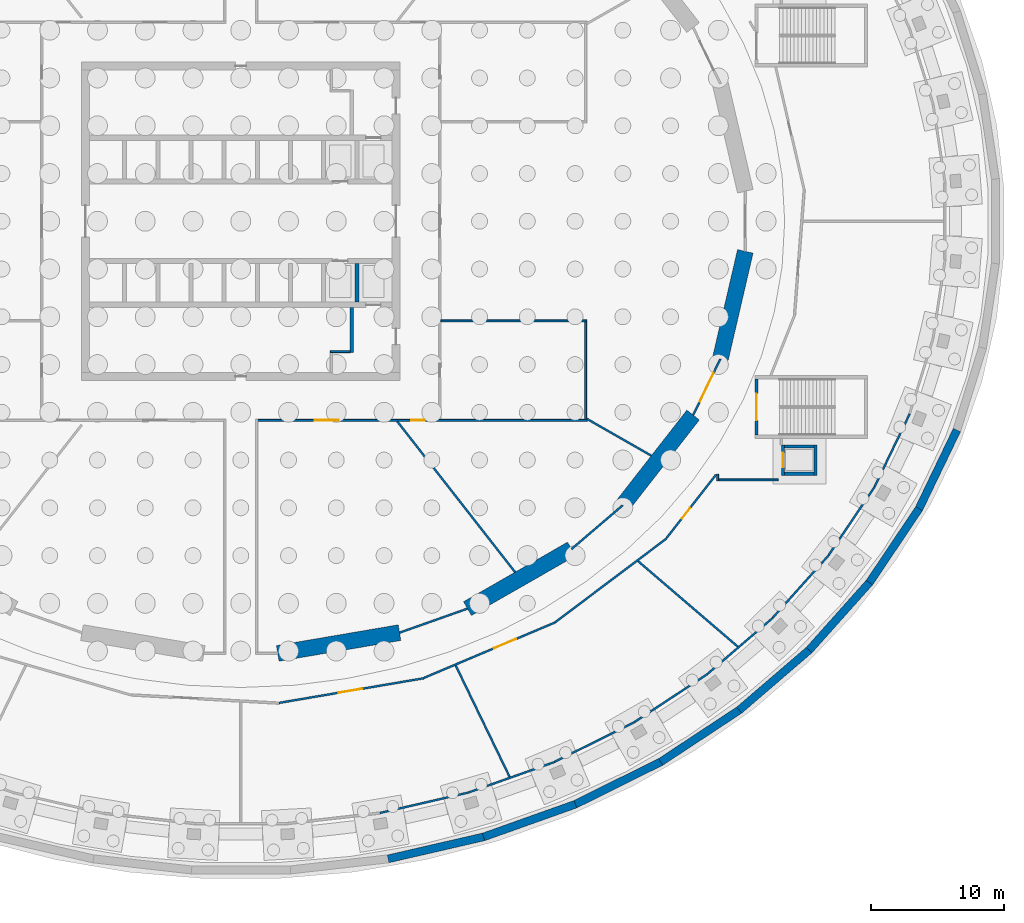
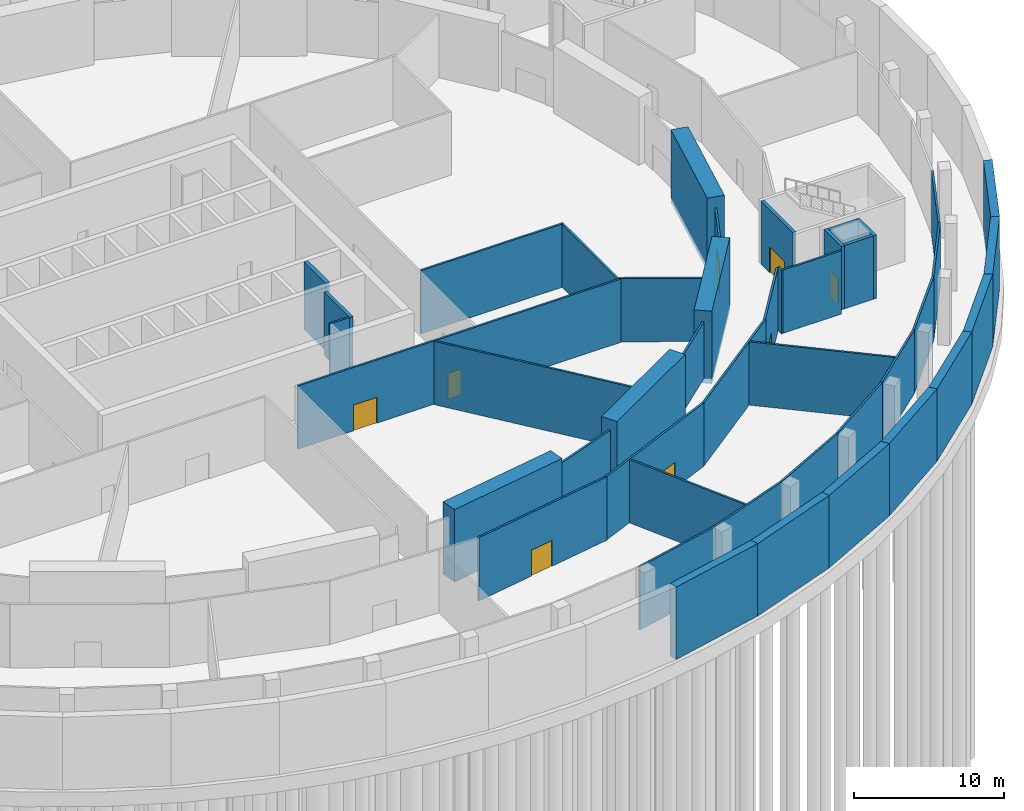
# One storey, part 9 of 15: 44 walls, 8 doors, 8 openings.
"""IFC4 building model written with IfcOpenShell, lengths in metres."""

from ifc_helpers import new_model, si_unit, direction, frame, frame_2d, origin, place, context, subcontext, project, spatial, polyline, rectangle, outline, extrude, material, layer, layer_set, type_object, element, fill, save


model = new_model("IFC4")

# Units and contexts
model_context = context("Model", 3, precision=1e-05, world=origin(), true_north=direction((0.0, 1.0)))
body_context = subcontext(model_context, "Body", "Model", "MODEL_VIEW")
ifc_project = project(units=[si_unit("LENGTHUNIT", "METRE"), si_unit("AREAUNIT", "SQUARE_METRE"), si_unit("VOLUMEUNIT", "CUBIC_METRE"), si_unit("PLANEANGLEUNIT", "RADIAN"), si_unit("MASSUNIT", "GRAM", prefix="KILO")], contexts=[model_context])

# Site, building, storey
site_placement = place(None, origin())
site = spatial("IfcSite", under=ifc_project, at=site_placement, CompositionType="ELEMENT")
building_placement = place(site_placement, origin())
building = spatial("IfcBuilding", under=site, at=building_placement, Name="Halqa Exchange Tower", CompositionType="ELEMENT")
storey_placement = place(building_placement, frame((0.0, 0.0, -15.0)))
storey = spatial("IfcBuildingStorey", under=building, at=storey_placement, Name="B3", CompositionType="ELEMENT", Elevation=-15.0)

# Wall, openings, doors
ifc_material_1 = material(Name="Fire-rated gypsum board")
ifc_layer_1 = layer(ifc_material_1, 0.14990234375)
ifc_layer_set_1 = layer_set([ifc_layer_1], Name="Fire-rated gypsum board")
wall_type_1 = type_object("IfcWallType", Name="Fire partition EI 60 150", PredefinedType="PARTITIONING", material=ifc_layer_set_1)
wall_1_placement = place(storey_placement, frame((1.27490234375, -15.0, 0.0), z_axis=(0.0, 0.0, 1.0), x_axis=(1.0, 0.0, 0.0)))
wall_1 = element("IfcWall", 1, at=wall_1_placement, inside=storey, type_object=wall_type_1, Name="B3-PWL-079", PredefinedType="PARTITIONING", context=body_context, shape_type="SweptSolid", body=[
    extrude(rectangle(XDim=24.85498046875, YDim=0.14990234375, at=frame_2d((12.427490234375, 0.0))), origin(), (0.0, 0.0, 1.0), 5.14990234375),
])
opening_1_placement = place(wall_1_placement, frame((4.2939453125, 0.0, 0.0)))
opening_1 = element("IfcOpeningElement", 2, at=opening_1_placement, cuts=wall_1, Name="Opening B3-05", PredefinedType="OPENING", context=body_context, shape_type="SweptSolid", body=[
    extrude(rectangle(XDim=1.800048828125, YDim=2.10009765625, at=frame_2d((0.89990234375, 1.050048828125))), frame((0.0, 0.0869140625, 0.0), z_axis=(0.0, -1.0, 0.0), x_axis=(1.0, 0.0, 0.0)), (0.0, 0.0, 1.0), 0.173828125),
])
opening_2_placement = place(wall_1_placement, frame((11.574951171875, 0.0, 0.0)))
opening_2 = element("IfcOpeningElement", 3, at=opening_2_placement, cuts=wall_1, Name="Opening B3-06", PredefinedType="OPENING", context=body_context, shape_type="SweptSolid", body=[
    extrude(rectangle(XDim=1.0, YDim=2.10009765625, at=frame_2d((0.5, 1.050048828125))), frame((0.0, 0.0869140625, 0.0), z_axis=(0.0, -1.0, 0.0), x_axis=(1.0, 0.0, 0.0)), (0.0, 0.0, 1.0), 0.173828125),
])
ifc_material_2 = material(Name="Steel fire door leaf", Category="steel")
door_type_1 = type_object("IfcDoorType", Name="Fire door FD30S 1000 x 2100", OperationType="SINGLE_SWING_LEFT", PredefinedType="DOOR", material=ifc_material_2)
door_1_placement = place(opening_2_placement, origin())
door_1 = element("IfcDoor", 4, at=door_1_placement, inside=storey, type_object=door_type_1, Name="B3-IDR-006", OperationType="SINGLE_SWING_LEFT", OverallHeight=2.10009765625, OverallWidth=1.0, PredefinedType="DOOR", context=body_context, shape_type="SweptSolid", body=[
    extrude(rectangle(XDim=1.0, YDim=2.10009765625, at=frame_2d((0.5, 1.050048828125))), frame((0.0, 0.02490234375, 0.0), z_axis=(0.0, -1.0, 0.0), x_axis=(1.0, 0.0, 0.0)), (0.0, 0.0, 1.0), 0.050048828125),
])
fill(opening_2, door_1)
door_type_2 = type_object("IfcDoorType", Name="Fire door FD30S double 1800 x 2100", OperationType="DOUBLE_DOOR_SINGLE_SWING", PredefinedType="DOOR", material=ifc_material_2)
door_2_placement = place(opening_1_placement, origin())
door_2 = element("IfcDoor", 5, at=door_2_placement, inside=storey, type_object=door_type_2, Name="B3-IDR-005", OperationType="DOUBLE_DOOR_SINGLE_SWING", OverallHeight=2.10009765625, OverallWidth=1.800048828125, PredefinedType="DOOR", context=body_context, shape_type="SweptSolid", body=[
    extrude(rectangle(XDim=1.800048828125, YDim=2.10009765625, at=frame_2d((0.89990234375, 1.050048828125))), frame((0.0, 0.02490234375, 0.0), z_axis=(0.0, -1.0, 0.0), x_axis=(1.0, 0.0, 0.0)), (0.0, 0.0, 1.0), 0.050048828125),
])
fill(opening_1, door_2)

# Walls
wall_2_placement = place(storey_placement, frame((11.7880859375, -15.074462890625, 0.0), z_axis=(0.0, 0.0, 1.0), x_axis=(0.615848120598, -0.787864894735, 0.0)))
element("IfcWall", 6, at=wall_2_placement, inside=storey, type_object=wall_type_1, Name="B3-PWL-087", PredefinedType="PARTITIONING", context=body_context, shape_type="SweptSolid", body=[
    extrude(outline(polyline([(0.0, -0.074951171875), (14.427734375, -0.074951171875), (14.44921875, 0.074951171875), (0.0, 0.074951171875), (0.0, -0.074951171875)])), origin(), (0.0, 0.0, 1.0), 5.14990234375),
])
wall_3_placement = place(storey_placement, frame((11.966796875, -31.01123046875, 0.0), z_axis=(0.0, 0.0, 1.0), x_axis=(0.942814385805, 0.333318217204, 0.0)))
element("IfcWall", 7, at=wall_3_placement, inside=storey, type_object=wall_type_1, Name="B3-PWL-089", PredefinedType="PARTITIONING", context=body_context, shape_type="SweptSolid", body=[
    extrude(outline(polyline([(-0.012939453125, -0.074951171875), (5.448486328125, -0.074951171875), (5.421142578125, 0.074951171875), (0.012939453125, 0.074951171875), (-0.012939453125, -0.074951171875)])), origin(), (0.0, 0.0, 1.0), 4.60009765625),
])

# Wall, opening, door
wall_4_placement = place(storey_placement, frame((13.80712890625, -34.443603515625, 0.0), z_axis=(0.0, 0.0, 1.0), x_axis=(-0.985802701022, -0.167907815955, 0.0)))
wall_4 = element("IfcWall", 8, at=wall_4_placement, inside=storey, type_object=wall_type_1, Name="B3-PWL-090", PredefinedType="PARTITIONING", context=body_context, shape_type="SweptSolid", body=[
    extrude(rectangle(XDim=11.07666015625, YDim=0.14990234375, at=frame_2d((5.538330078125, 0.0))), origin(), (0.0, 0.0, 1.0), 5.14990234375),
])
opening_3_placement = place(wall_4_placement, frame((4.737060546875, 0.0, 0.0)))
opening_3 = element("IfcOpeningElement", 9, at=opening_3_placement, cuts=wall_4, Name="Opening B3-33", PredefinedType="OPENING", context=body_context, shape_type="SweptSolid", body=[
    extrude(rectangle(XDim=1.800048828125, YDim=2.10009765625, at=frame_2d((0.89990234375, 1.050048828125))), frame((0.0, 0.0869140625, 0.0), z_axis=(0.0, -1.0, 0.0), x_axis=(1.0, 0.0, 0.0)), (0.0, 0.0, 1.0), 0.173828125),
])
door_3_placement = place(opening_3_placement, origin())
door_3 = element("IfcDoor", 10, at=door_3_placement, inside=storey, type_object=door_type_2, Name="B3-IDR-033", OperationType="DOUBLE_DOOR_SINGLE_SWING", OverallHeight=2.10009765625, OverallWidth=1.800048828125, PredefinedType="DOOR", context=body_context, shape_type="SweptSolid", body=[
    extrude(rectangle(XDim=1.800048828125, YDim=2.10009765625, at=frame_2d((0.89990234375, 1.050048828125))), frame((0.0, 0.02490234375, 0.0), z_axis=(0.0, -1.0, 0.0), x_axis=(1.0, 0.0, 0.0)), (0.0, 0.0, 1.0), 0.050048828125),
])
fill(opening_3, door_3)

wall_5_placement = place(storey_placement, frame((13.802490234375, -34.4208984375, 0.0), z_axis=(0.0, 0.0, 1.0), x_axis=(0.921072890143, 0.389390204094, 0.0)))
wall_5 = element("IfcWall", 11, at=wall_5_placement, inside=storey, type_object=wall_type_1, Name="B3-PWL-091", PredefinedType="PARTITIONING", context=body_context, shape_type="SweptSolid", body=[
    extrude(rectangle(XDim=10.745849609375, YDim=0.14990234375, at=frame_2d((5.373046875, 0.0))), origin(), (0.0, 0.0, 1.0), 5.14990234375),
])
opening_4_placement = place(wall_5_placement, frame((5.733154296875, 0.0, 0.0)))
opening_4 = element("IfcOpeningElement", 12, at=opening_4_placement, cuts=wall_5, Name="Opening B3-34", PredefinedType="OPENING", context=body_context, shape_type="SweptSolid", body=[
    extrude(rectangle(XDim=1.800048828125, YDim=2.10009765625, at=frame_2d((0.89990234375, 1.050048828125))), frame((0.0, 0.0869140625, 0.0), z_axis=(0.0, -1.0, 0.0), x_axis=(1.0, 0.0, 0.0)), (0.0, 0.0, 1.0), 0.173828125),
])
door_4_placement = place(opening_4_placement, frame((1.800048828125, 0.0, 0.0), z_axis=(0.0, 0.0, 1.0), x_axis=(-1.0, 0.0, 0.0)))
door_4 = element("IfcDoor", 13, at=door_4_placement, inside=storey, type_object=door_type_2, Name="B3-IDR-034", OperationType="DOUBLE_DOOR_SINGLE_SWING", OverallHeight=2.10009765625, OverallWidth=1.800048828125, PredefinedType="DOOR", context=body_context, shape_type="SweptSolid", body=[
    extrude(rectangle(XDim=1.800048828125, YDim=2.10009765625, at=frame_2d((0.89990234375, 1.050048828125))), frame((0.0, 0.02490234375, 0.0), z_axis=(0.0, -1.0, 0.0), x_axis=(1.0, 0.0, 0.0)), (0.0, 0.0, 1.0), 0.050048828125),
])
fill(opening_4, door_4)

# Walls
wall_6_placement = place(storey_placement, frame((15.074951171875, -7.5, 0.0), z_axis=(0.0, 0.0, 1.0), x_axis=(1.0, 0.0, 0.0)))
element("IfcWall", 14, at=wall_6_placement, inside=storey, type_object=wall_type_1, Name="B3-PWL-093", PredefinedType="PARTITIONING", context=body_context, shape_type="SweptSolid", body=[
    extrude(rectangle(XDim=11.0, YDim=0.14990234375, at=frame_2d((5.5, 0.0))), origin(), (0.0, 0.0, 1.0), 5.14990234375),
])
wall_7_placement = place(storey_placement, frame((16.202392578125, -33.487060546875, 0.0), z_axis=(0.0, 0.0, 1.0), x_axis=(0.435783992342, -0.900051282994, 0.0)))
element("IfcWall", 15, at=wall_7_placement, inside=storey, type_object=wall_type_1, Name="B3-PWL-094", PredefinedType="PARTITIONING", context=body_context, shape_type="SweptSolid", body=[
    extrude(outline(polyline([(-0.00390625, -0.074951171875), (9.3173828125, -0.074951171875), (9.333984375, 0.074951171875), (0.00390625, 0.074951171875), (-0.00390625, -0.074951171875)])), origin(), (0.0, 0.0, 1.0), 5.14990234375),
])
wall_8_placement = place(storey_placement, frame((17.21337890625, -43.05078125, 0.0), z_axis=(0.0, 0.0, 1.0), x_axis=(-0.974487031509, -0.224443813504, 0.0)))
element("IfcWall", 16, at=wall_8_placement, inside=storey, type_object=wall_type_1, Name="B3-PWL-097", PredefinedType="PARTITIONING", context=body_context, shape_type="SweptSolid", body=[
    extrude(rectangle(XDim=6.90625, YDim=0.14990234375, at=frame_2d((3.453125, 0.0))), origin(), (0.0, 0.0, 1.0), 5.14990234375),
])
wall_9_placement = place(storey_placement, frame((17.210693359375, -43.04150390625, 0.0), z_axis=(0.0, 0.0, 1.0), x_axis=(0.94266330093, 0.333745263757, 0.0)))
element("IfcWall", 17, at=wall_9_placement, inside=storey, type_object=wall_type_1, Name="B3-PWL-098", PredefinedType="PARTITIONING", context=body_context, shape_type="SweptSolid", body=[
    extrude(rectangle(XDim=6.83154296875, YDim=0.14990234375, at=frame_2d((3.415771484375, 0.0))), origin(), (0.0, 0.0, 1.0), 5.14990234375),
])
wall_10_placement = place(storey_placement, frame((23.696044921875, -30.22802734375, 0.0), z_axis=(0.0, 0.0, 1.0), x_axis=(0.799195100787, 0.601071701944, 0.0)))
element("IfcWall", 18, at=wall_10_placement, inside=storey, type_object=wall_type_1, Name="B3-PWL-102", PredefinedType="PARTITIONING", context=body_context, shape_type="SweptSolid", body=[
    extrude(rectangle(XDim=10.528564453125, YDim=0.14990234375, at=frame_2d((5.26416015625, 0.0))), origin(), (0.0, 0.0, 1.0), 5.14990234375),
])
wall_11_placement = place(storey_placement, frame((24.931884765625, -24.70849609375, 0.0), z_axis=(0.0, 0.0, 1.0), x_axis=(0.760084552743, 0.649824185978, 0.0)))
element("IfcWall", 19, at=wall_11_placement, inside=storey, type_object=wall_type_1, Name="B3-PWL-103", PredefinedType="PARTITIONING", context=body_context, shape_type="SweptSolid", body=[
    extrude(outline(polyline([(-0.01416015625, -0.074951171875), (5.09033203125, -0.074951171875), (5.0595703125, 0.074951171875), (0.01416015625, 0.074951171875), (-0.01416015625, -0.074951171875)])), origin(), (0.0, 0.0, 1.0), 4.60009765625),
])
wall_12_placement = place(storey_placement, frame((26.0, -14.925048828125, 0.0), z_axis=(0.0, 0.0, 1.0), x_axis=(0.0, 1.0, 0.0)))
element("IfcWall", 20, at=wall_12_placement, inside=storey, type_object=wall_type_1, Name="B3-PWL-104", PredefinedType="PARTITIONING", context=body_context, shape_type="SweptSolid", body=[
    extrude(rectangle(XDim=7.35107421875, YDim=0.14990234375, at=frame_2d((3.675537109375, 0.0))), origin(), (0.0, 0.0, 1.0), 5.14990234375),
])
wall_13_placement = place(storey_placement, frame((26.07421875, -14.88232421875, 0.0), z_axis=(0.0, 0.0, 1.0), x_axis=(0.868133416031, -0.496330909746, 0.0)))
element("IfcWall", 21, at=wall_13_placement, inside=storey, type_object=wall_type_1, Name="B3-PWL-105", PredefinedType="PARTITIONING", context=body_context, shape_type="SweptSolid", body=[
    extrude(outline(polyline([(0.0, -0.074951171875), (5.604248046875, -0.074951171875), (5.625732421875, 0.074951171875), (0.0, 0.074951171875), (0.0, -0.074951171875)])), origin(), (0.0, 0.0, 1.0), 5.14990234375),
])
wall_14_placement = place(storey_placement, frame((29.676513671875, -37.761962890625, 0.0), z_axis=(0.0, 0.0, 1.0), x_axis=(-0.895909442692, -0.444236727991, 0.0)))
element("IfcWall", 22, at=wall_14_placement, inside=storey, type_object=wall_type_1, Name="B3-PWL-111", PredefinedType="PARTITIONING", context=body_context, shape_type="SweptSolid", body=[
    extrude(rectangle(XDim=6.730712890625, YDim=0.14990234375, at=frame_2d((3.365234375, 0.0))), origin(), (0.0, 0.0, 1.0), 5.14990234375),
])
wall_15_placement = place(storey_placement, frame((29.947265625, -25.619140625, 0.0), z_axis=(0.0, 0.0, 1.0), x_axis=(0.759265306208, -0.650781218836, 0.0)))
element("IfcWall", 23, at=wall_15_placement, inside=storey, type_object=wall_type_1, Name="B3-PWL-113", PredefinedType="PARTITIONING", context=body_context, shape_type="SweptSolid", body=[
    extrude(outline(polyline([(-0.0166015625, -0.074951171875), (9.888427734375, -0.074951171875), (9.911376953125, 0.074951171875), (0.0166015625, 0.074951171875), (-0.0166015625, -0.074951171875)])), origin(), (0.0, 0.0, 1.0), 5.14990234375),
])

# Wall, opening, door
wall_16_placement = place(storey_placement, frame((32.09375, -23.87841796875, 0.0), z_axis=(0.0, 0.0, 1.0), x_axis=(0.615450256232, 0.788175730472, 0.0)))
wall_16 = element("IfcWall", 24, at=wall_16_placement, inside=storey, type_object=wall_type_1, Name="B3-PWL-115", PredefinedType="PARTITIONING", context=body_context, shape_type="SweptSolid", body=[
    extrude(outline(polyline([(0.0, -0.074951171875), (6.097412109375, -0.074951171875), (6.030029296875, 0.074951171875), (0.0, 0.074951171875), (0.0, -0.074951171875)])), origin(), (0.0, 0.0, 1.0), 5.14990234375),
])
opening_5_placement = place(wall_16_placement, frame((1.886962890625, 0.0, 0.0)))
opening_5 = element("IfcOpeningElement", 25, at=opening_5_placement, cuts=wall_16, Name="Opening B3-35", PredefinedType="OPENING", context=body_context, shape_type="SweptSolid", body=[
    extrude(rectangle(XDim=1.0, YDim=2.10009765625, at=frame_2d((0.5, 1.050048828125))), frame((0.0, 0.0869140625, 0.0), z_axis=(0.0, -1.0, 0.0), x_axis=(1.0, 0.0, 0.0)), (0.0, 0.0, 1.0), 0.173828125),
])
door_5_placement = place(opening_5_placement, frame((1.0, 0.0, 0.0), z_axis=(0.0, 0.0, 1.0), x_axis=(-1.0, 0.0, 0.0)))
door_5 = element("IfcDoor", 26, at=door_5_placement, inside=storey, type_object=door_type_1, Name="B3-IDR-035", OperationType="SINGLE_SWING_RIGHT", OverallHeight=2.10009765625, OverallWidth=1.0, PredefinedType="DOOR", context=body_context, shape_type="SweptSolid", body=[
    extrude(rectangle(XDim=1.0, YDim=2.10009765625, at=frame_2d((0.5, 1.050048828125))), frame((0.0, 0.02490234375, 0.0), z_axis=(0.0, -1.0, 0.0), x_axis=(1.0, 0.0, 0.0)), (0.0, 0.0, 1.0), 0.050048828125),
])
fill(opening_5, door_5)

# Walls
wall_17_placement = place(storey_placement, frame((35.19140625, -34.123046875, 0.0), z_axis=(0.0, 0.0, 1.0), x_axis=(-0.83553583791, -0.549435950378, 0.0)))
element("IfcWall", 27, at=wall_17_placement, inside=storey, type_object=wall_type_1, Name="B3-PWL-117", PredefinedType="PARTITIONING", context=body_context, shape_type="SweptSolid", body=[
    extrude(rectangle(XDim=6.6064453125, YDim=0.14990234375, at=frame_2d((3.30322265625, 0.0))), origin(), (0.0, 0.0, 1.0), 5.14990234375),
])
wall_18_placement = place(storey_placement, frame((35.184814453125, -34.1142578125, 0.0), z_axis=(0.0, 0.0, 1.0), x_axis=(0.759033312601, 0.651051787773, 0.0)))
element("IfcWall", 28, at=wall_18_placement, inside=storey, type_object=wall_type_1, Name="B3-PWL-118", PredefinedType="PARTITIONING", context=body_context, shape_type="SweptSolid", body=[
    extrude(rectangle(XDim=6.484375, YDim=0.14990234375, at=frame_2d((3.2421875, 0.0))), origin(), (0.0, 0.0, 1.0), 5.14990234375),
])
wall_19_placement = place(storey_placement, frame((35.949951171875, -19.574951171875, 0.0), z_axis=(0.0, 0.0, 1.0), x_axis=(0.0, 1.0, 0.0)))
element("IfcWall", 29, at=wall_19_placement, inside=storey, type_object=wall_type_1, Name="B3-PWL-121", PredefinedType="PARTITIONING", context=body_context, shape_type="SweptSolid", body=[
    extrude(rectangle(XDim=0.513916015625, YDim=0.14990234375, at=frame_2d((0.2568359375, 0.0))), origin(), (0.0, 0.0, 1.0), 5.14990234375),
])

# Wall, opening, door
wall_20_placement = place(storey_placement, frame((36.14990234375, -10.3798828125, 0.0), z_axis=(0.0, 0.0, 1.0), x_axis=(-0.436102687495, -0.899896908518, 0.0)))
wall_20 = element("IfcWall", 30, at=wall_20_placement, inside=storey, type_object=wall_type_1, Name="B3-PWL-123", PredefinedType="PARTITIONING", context=body_context, shape_type="SweptSolid", body=[
    extrude(outline(polyline([(0.01708984375, -0.074951171875), (4.68310546875, -0.074951171875), (4.71533203125, 0.074951171875), (-0.01708984375, 0.074951171875), (0.01708984375, -0.074951171875)])), origin(), (0.0, 0.0, 1.0), 4.60009765625),
])
opening_6_placement = place(wall_20_placement, frame((1.150390625, 0.0, 0.0)))
opening_6 = element("IfcOpeningElement", 31, at=opening_6_placement, cuts=wall_20, Name="Opening B3-15", PredefinedType="OPENING", context=body_context, shape_type="SweptSolid", body=[
    extrude(rectangle(XDim=2.39990234375, YDim=2.10009765625, at=frame_2d((1.199951171875, 1.050048828125))), frame((0.0, 0.0869140625, 0.0), z_axis=(0.0, -1.0, 0.0), x_axis=(1.0, 0.0, 0.0)), (0.0, 0.0, 1.0), 0.173828125),
])
door_type_3 = type_object("IfcDoorType", Name="Fire door FD60S double 2400 x 2100", OperationType="DOUBLE_DOOR_SINGLE_SWING", PredefinedType="DOOR", material=ifc_material_2)
door_6_placement = place(opening_6_placement, origin())
door_6 = element("IfcDoor", 32, at=door_6_placement, inside=storey, type_object=door_type_3, Name="B3-IDR-015", OperationType="DOUBLE_DOOR_SINGLE_SWING", OverallHeight=2.10009765625, OverallWidth=2.39990234375, PredefinedType="DOOR", context=body_context, shape_type="SweptSolid", body=[
    extrude(rectangle(XDim=2.39990234375, YDim=2.10009765625, at=frame_2d((1.199951171875, 1.050048828125))), frame((0.0, 0.02490234375, 0.0), z_axis=(0.0, -1.0, 0.0), x_axis=(1.0, 0.0, 0.0)), (0.0, 0.0, 1.0), 0.050048828125),
])
fill(opening_6, door_6)

# Walls
wall_21_placement = place(storey_placement, frame((40.52490234375, -19.5, 0.0), z_axis=(0.0, 0.0, 1.0), x_axis=(-1.0, 0.0, 0.0)))
element("IfcWall", 33, at=wall_21_placement, inside=storey, type_object=wall_type_1, Name="B3-PWL-129", PredefinedType="PARTITIONING", context=body_context, shape_type="SweptSolid", body=[
    extrude(rectangle(XDim=4.5, YDim=0.14990234375, at=frame_2d((2.25, 0.0))), origin(), (0.0, 0.0, 1.0), 5.14990234375),
])
wall_22_placement = place(storey_placement, frame((44.32861328125, -25.16455078125, 0.0), z_axis=(0.0, 0.0, 1.0), x_axis=(-0.6673947824, -0.744704105283, 0.0)))
element("IfcWall", 34, at=wall_22_placement, inside=storey, type_object=wall_type_1, Name="B3-PWL-133", PredefinedType="PARTITIONING", context=body_context, shape_type="SweptSolid", body=[
    extrude(rectangle(XDim=6.338134765625, YDim=0.14990234375, at=frame_2d((3.1689453125, 0.0))), origin(), (0.0, 0.0, 1.0), 5.14990234375),
])
wall_23_placement = place(storey_placement, frame((47.789306640625, -20.007080078125, 0.0), z_axis=(0.0, 0.0, 1.0), x_axis=(-0.558812320082, -0.829294152231, 0.0)))
element("IfcWall", 35, at=wall_23_placement, inside=storey, type_object=wall_type_1, Name="B3-PWL-135", PredefinedType="PARTITIONING", context=body_context, shape_type="SweptSolid", body=[
    extrude(rectangle(XDim=6.2099609375, YDim=0.14990234375, at=frame_2d((3.10498046875, 0.0))), origin(), (0.0, 0.0, 1.0), 5.14990234375),
])
wall_24_placement = place(storey_placement, frame((50.42822265625, -14.5107421875, 0.0), z_axis=(0.0, 0.0, 1.0), x_axis=(-0.434690826011, -0.900579749818, 0.0)))
element("IfcWall", 36, at=wall_24_placement, inside=storey, type_object=wall_type_1, Name="B3-PWL-137", PredefinedType="PARTITIONING", context=body_context, shape_type="SweptSolid", body=[
    extrude(rectangle(XDim=6.095947265625, YDim=0.14990234375, at=frame_2d((3.0478515625, 0.0))), origin(), (0.0, 0.0, 1.0), 5.14990234375),
])
ifc_material_3 = material(Name="Gypsum board")
ifc_layer_2 = layer(ifc_material_3, 0.14990234375)
ifc_layer_set_2 = layer_set([ifc_layer_2], Name="Gypsum board")
wall_type_2 = type_object("IfcWallType", Name="Penthouse riser wall 150 gypsum", PredefinedType="PARTITIONING", material=ifc_layer_set_2)
wall_25_placement = place(storey_placement, frame((6.75, -9.824951171875, 0.0), z_axis=(0.0, 0.0, 1.0), x_axis=(1.0, 0.0, 0.0)))
element("IfcWall", 37, at=wall_25_placement, inside=storey, type_object=wall_type_2, Name="Firefighting lobby return wall S", PredefinedType="PARTITIONING", context=body_context, shape_type="SweptSolid", body=[
    extrude(rectangle(XDim=1.5, YDim=0.14990234375, at=frame_2d((0.75, 0.0))), origin(), (0.0, 0.0, 1.0), 5.14990234375),
])

# Wall, opening, door
ifc_layer_3 = layer(ifc_material_3, 0.25)
ifc_layer_set_3 = layer_set([ifc_layer_3], Name="Gypsum board")
wall_type_3 = type_object("IfcWallType", Name="Penthouse riser wall 250 gypsum", PredefinedType="PARTITIONING", material=ifc_layer_set_3)
wall_26_placement = place(storey_placement, frame((40.875, -19.14990234375, 0.0), z_axis=(0.0, 0.0, 1.0), x_axis=(0.0, 1.0, 0.0)))
wall_26 = element("IfcWall", 38, at=wall_26_placement, inside=storey, type_object=wall_type_3, Name="Station lift AL2 wall west", PredefinedType="PARTITIONING", context=body_context, shape_type="SweptSolid", body=[
    extrude(rectangle(XDim=2.2998046875, YDim=0.25, at=frame_2d((1.14990234375, 0.0))), origin(), (0.0, 0.0, 1.0), 5.14990234375),
])
opening_7_placement = place(wall_26_placement, frame((0.60009765625, 0.0, 0.0)))
opening_7 = element("IfcOpeningElement", 39, at=opening_7_placement, cuts=wall_26, Name="Opening LD-AL2-B3", PredefinedType="OPENING", context=body_context, shape_type="SweptSolid", body=[
    extrude(rectangle(XDim=1.10009765625, YDim=2.10009765625, at=frame_2d((0.550048828125, 1.050048828125))), frame((0.0, 0.136962890625, 0.0), z_axis=(0.0, -1.0, 0.0), x_axis=(1.0, 0.0, 0.0)), (0.0, 0.0, 1.0), 0.27392578125),
])
ifc_material_4 = material(Name="Stainless steel", Category="steel")
door_type_4 = type_object("IfcDoorType", Name="Lift landing door 1100 x 2100", OperationType="SLIDING_TO_LEFT", PredefinedType="DOOR", material=ifc_material_4)
door_7_placement = place(opening_7_placement, origin())
door_7 = element("IfcDoor", 40, at=door_7_placement, inside=storey, type_object=door_type_4, Name="Lift landing door AL2", OperationType="SLIDING_TO_LEFT", OverallHeight=2.10009765625, OverallWidth=1.10009765625, PredefinedType="DOOR", context=body_context, shape_type="SweptSolid", body=[
    extrude(rectangle(XDim=1.10009765625, YDim=2.10009765625, at=frame_2d((0.550048828125, 1.050048828125))), frame((0.0, 0.02490234375, 0.0), z_axis=(0.0, -1.0, 0.0), x_axis=(1.0, 0.0, 0.0)), (0.0, 0.0, 1.0), 0.050048828125),
])
fill(opening_7, door_7)

# Walls
wall_27_placement = place(storey_placement, frame((43.324951171875, -19.14990234375, 0.0), z_axis=(0.0, 0.0, 1.0), x_axis=(0.0, 1.0, 0.0)))
element("IfcWall", 41, at=wall_27_placement, inside=storey, type_object=wall_type_3, Name="Station lift AL2 wall east", PredefinedType="PARTITIONING", context=body_context, shape_type="SweptSolid", body=[
    extrude(rectangle(XDim=2.2998046875, YDim=0.25, at=frame_2d((1.14990234375, 0.0))), origin(), (0.0, 0.0, 1.0), 5.14990234375),
])
for number, where, z_axis, x_axis, name in (
    (42, (41.0, -16.97509765625, 0.0), (0.0, 0.0, 1.0), (1.0, 0.0, 0.0), "Station lift AL2 wall north"),
    (43, (41.0, -19.02490234375, 0.0), (0.0, 0.0, 1.0), (1.0, 0.0, 0.0), "Station lift AL2 wall south"),
):
    element("IfcWall", number, at=place(storey_placement, frame(where, z_axis=z_axis, x_axis=x_axis)), inside=storey, type_object=wall_type_3, Name=name, PredefinedType="PARTITIONING", context=body_context, shape_type="SweptSolid", body=[
        extrude(rectangle(XDim=2.199951171875, YDim=0.25, at=frame_2d((1.10009765625, 0.0))), origin(), (0.0, 0.0, 1.0), 5.14990234375),
    ])
ifc_material_5 = material(Name="Concrete C40/50", Category="concrete")
ifc_layer_4 = layer(ifc_material_5, 0.60009765625)
ifc_layer_set_4 = layer_set([ifc_layer_4], Name="Concrete C40/50")
wall_type_4 = type_object("IfcWallType", Name="RC basement wall 600", PredefinedType="SOLIDWALL", material=ifc_layer_set_4)
wall_28_placement = place(storey_placement, frame((11.103515625, -48.062255859375, -0.39990234375), z_axis=(0.0, 0.0, 1.0), x_axis=(0.974485322097, 0.224451235276, 0.0)))
element("IfcWall", 44, at=wall_28_placement, inside=storey, type_object=wall_type_4, Name="Basement retaining wall", PredefinedType="SOLIDWALL", context=body_context, shape_type="SweptSolid", body=[
    extrude(rectangle(XDim=7.4248046875, YDim=0.60009765625, at=frame_2d((3.71240234375, 0.0))), origin(), (0.0, 0.0, 1.0), 5.89990234375),
])
wall_29_placement = place(storey_placement, frame((18.3056640625, -46.405517578125, -0.39990234375), z_axis=(0.0, 0.0, 1.0), x_axis=(0.942060991409, 0.33544163198, 0.0)))
element("IfcWall", 45, at=wall_29_placement, inside=storey, type_object=wall_type_4, Name="Basement retaining wall", PredefinedType="SOLIDWALL", context=body_context, shape_type="SweptSolid", body=[
    extrude(rectangle(XDim=7.347412109375, YDim=0.60009765625, at=frame_2d((3.673828125, 0.0))), origin(), (0.0, 0.0, 1.0), 5.89990234375),
])
wall_30_placement = place(storey_placement, frame((25.194580078125, -43.95458984375, -0.39990234375), z_axis=(0.0, 0.0, 1.0), x_axis=(0.895750986496, 0.44455614965, 0.0)))
element("IfcWall", 46, at=wall_30_placement, inside=storey, type_object=wall_type_4, Name="Basement retaining wall", PredefinedType="SOLIDWALL", context=body_context, shape_type="SweptSolid", body=[
    extrude(rectangle(XDim=7.244873046875, YDim=0.60009765625, at=frame_2d((3.62255859375, 0.0))), origin(), (0.0, 0.0, 1.0), 5.89990234375),
])
wall_31_placement = place(storey_placement, frame((31.652099609375, -40.752197265625, -0.39990234375), z_axis=(0.0, 0.0, 1.0), x_axis=(0.834745196239, 0.550636411215, 0.0)))
element("IfcWall", 47, at=wall_31_placement, inside=storey, type_object=wall_type_4, Name="Basement retaining wall", PredefinedType="SOLIDWALL", context=body_context, shape_type="SweptSolid", body=[
    extrude(rectangle(XDim=7.123779296875, YDim=0.60009765625, at=frame_2d((3.56201171875, 0.0))), origin(), (0.0, 0.0, 1.0), 5.89990234375),
])
wall_32_placement = place(storey_placement, frame((37.568115234375, -36.8525390625, -0.39990234375), z_axis=(0.0, 0.0, 1.0), x_axis=(0.758319142722, 0.65188348482, 0.0)))
element("IfcWall", 48, at=wall_32_placement, inside=storey, type_object=wall_type_4, Name="Basement retaining wall", PredefinedType="SOLIDWALL", context=body_context, shape_type="SweptSolid", body=[
    extrude(rectangle(XDim=6.991455078125, YDim=0.60009765625, at=frame_2d((3.49560546875, 0.0))), origin(), (0.0, 0.0, 1.0), 5.89990234375),
])
wall_33_placement = place(storey_placement, frame((42.841796875, -32.32275390625, -0.39990234375), z_axis=(0.0, 0.0, 1.0), x_axis=(0.665894053378, 0.74604631872, 0.0)))
element("IfcWall", 49, at=wall_33_placement, inside=storey, type_object=wall_type_4, Name="Basement retaining wall", PredefinedType="SOLIDWALL", context=body_context, shape_type="SweptSolid", body=[
    extrude(rectangle(XDim=6.8564453125, YDim=0.60009765625, at=frame_2d((3.42822265625, 0.0))), origin(), (0.0, 0.0, 1.0), 5.89990234375),
])
wall_34_placement = place(storey_placement, frame((47.38232421875, -27.239990234375, -0.39990234375), z_axis=(0.0, 0.0, 1.0), x_axis=(0.557518861869, 0.830164272093, 0.0)))
element("IfcWall", 50, at=wall_34_placement, inside=storey, type_object=wall_type_4, Name="Basement retaining wall", PredefinedType="SOLIDWALL", context=body_context, shape_type="SweptSolid", body=[
    extrude(rectangle(XDim=6.728515625, YDim=0.60009765625, at=frame_2d((3.3642578125, 0.0))), origin(), (0.0, 0.0, 1.0), 5.89990234375),
])
wall_35_placement = place(storey_placement, frame((51.1123046875, -21.69140625, -0.39990234375), z_axis=(0.0, 0.0, 1.0), x_axis=(0.434104041315, 0.900862742772, 0.0)))
element("IfcWall", 51, at=wall_35_placement, inside=storey, type_object=wall_type_4, Name="Basement retaining wall", PredefinedType="SOLIDWALL", context=body_context, shape_type="SweptSolid", body=[
    extrude(rectangle(XDim=6.61669921875, YDim=0.60009765625, at=frame_2d((3.308349609375, 0.0))), origin(), (0.0, 0.0, 1.0), 5.89990234375),
])
ifc_material_6 = material(Name="Concrete C60/75", Category="concrete")
ifc_layer_5 = layer(ifc_material_6, 0.300048828125)
ifc_layer_set_5 = layer_set([ifc_layer_5], Name="Concrete C60/75")
wall_type_5 = type_object("IfcWallType", Name="RC core wall 300", PredefinedType="SHEAR", material=ifc_layer_set_5)
wall_36_placement = place(storey_placement, frame((8.75, -6.10009765625, 0.0), z_axis=(0.0, 0.0, 1.0), x_axis=(0.0, 1.0, 0.0)))
element("IfcWall", 52, at=wall_36_placement, inside=storey, type_object=wall_type_5, Name="Shaft divider S8", PredefinedType="SHEAR", context=body_context, shape_type="SweptSolid", body=[
    extrude(rectangle(XDim=2.900146484375, YDim=0.300048828125, at=frame_2d((1.4501953125, 0.0))), origin(), (0.0, 0.0, 1.0), 5.5),
])
ifc_material_7 = material(Name="Concrete C80/95", Category="concrete")
ifc_layer_6 = layer(ifc_material_7, 1.199951171875)
ifc_layer_set_6 = layer_set([ifc_layer_6], Name="Concrete C80/95")
wall_type_6 = type_object("IfcWallType", Name="RC ring pier 1200 C80/95", PredefinedType="SHEAR", material=ifc_layer_set_6)
wall_37_placement = place(storey_placement, frame((2.7880859375, -32.57421875, -0.39990234375), z_axis=(0.0, 0.0, 1.0), x_axis=(0.985776286846, 0.168062822456, 0.0)))
element("IfcWall", 53, at=wall_37_placement, inside=storey, type_object=wall_type_6, Name="Ring pier 13", PredefinedType="SHEAR", context=body_context, shape_type="SweptSolid", body=[
    extrude(rectangle(XDim=9.3115234375, YDim=1.199951171875, at=frame_2d((4.65576171875, 0.0))), origin(), (0.0, 0.0, 1.0), 5.89990234375),
])
wall_38_placement = place(storey_placement, frame((17.088623046875, -29.197509765625, -0.39990234375), z_axis=(0.0, 0.0, 1.0), x_axis=(0.867760656864, 0.496982336103, 0.0)))
element("IfcWall", 54, at=wall_38_placement, inside=storey, type_object=wall_type_6, Name="Ring pier 14", PredefinedType="SHEAR", context=body_context, shape_type="SweptSolid", body=[
    extrude(rectangle(XDim=9.037841796875, YDim=1.199951171875, at=frame_2d((4.51904296875, 0.0))), origin(), (0.0, 0.0, 1.0), 5.89990234375),
])
wall_39_placement = place(storey_placement, frame((28.790283203125, -21.412353515625, -0.39990234375), z_axis=(0.0, 0.0, 1.0), x_axis=(0.614825322247, 0.788663314174, 0.0)))
element("IfcWall", 55, at=wall_39_placement, inside=storey, type_object=wall_type_6, Name="Ring pier 15", PredefinedType="SHEAR", context=body_context, shape_type="SweptSolid", body=[
    extrude(rectangle(XDim=8.631591796875, YDim=1.199951171875, at=frame_2d((4.31591796875, 0.0))), origin(), (0.0, 0.0, 1.0), 5.89990234375),
])
wall_40_placement = place(storey_placement, frame((36.14892578125, -10.38037109375, -0.39990234375), z_axis=(0.0, 0.0, 1.0), x_axis=(0.226058185805, 0.974113800657, 0.0)))
element("IfcWall", 56, at=wall_40_placement, inside=storey, type_object=wall_type_6, Name="Ring pier 16", PredefinedType="SHEAR", context=body_context, shape_type="SweptSolid", body=[
    extrude(rectangle(XDim=8.328857421875, YDim=1.199951171875, at=frame_2d((4.16455078125, 0.0))), origin(), (0.0, 0.0, 1.0), 5.89990234375),
])
ifc_material_8 = material(Name="Concrete C30/37", Category="concrete")
ifc_layer_7 = layer(ifc_material_8, 0.25)
ifc_layer_set_7 = layer_set([ifc_layer_7], Name="Concrete C30/37")
wall_type_7 = type_object("IfcWallType", Name="RC stair wall 250 C30/37", PredefinedType="SHEAR", material=ifc_layer_set_7)
wall_41_placement = place(storey_placement, frame((8.375, -9.89990234375, 0.0), z_axis=(0.0, 0.0, 1.0), x_axis=(0.0, 1.0, 0.0)))
element("IfcWall", 57, at=wall_41_placement, inside=storey, type_object=wall_type_7, Name="Stair ST2 east wall S", PredefinedType="SHEAR", context=body_context, shape_type="SweptSolid", body=[
    extrude(rectangle(XDim=3.39990234375, YDim=0.25, at=frame_2d((1.699951171875, 0.0))), origin(), (0.0, 0.0, 1.0), 5.14990234375),
])

# Wall, opening, door
wall_42_placement = place(storey_placement, frame((38.875, -16.125, 0.0), z_axis=(0.0, 0.0, 1.0), x_axis=(0.0, 1.0, 0.0)))
wall_42 = element("IfcWall", 58, at=wall_42_placement, inside=storey, type_object=wall_type_7, Name="Stair SS2 wall west", PredefinedType="SHEAR", context=body_context, shape_type="SweptSolid", body=[
    extrude(rectangle(XDim=4.25, YDim=0.25, at=frame_2d((2.125, 0.0))), origin(), (0.0, 0.0, 1.0), 5.14990234375),
])
opening_8_placement = place(wall_42_placement, frame((1.125, 0.0, 0.0)))
opening_8 = element("IfcOpeningElement", 59, at=opening_8_placement, cuts=wall_42, Name="Opening B3-C12", PredefinedType="OPENING", context=body_context, shape_type="SweptSolid", body=[
    extrude(rectangle(XDim=2.0, YDim=2.10009765625, at=frame_2d((1.0, 1.050048828125))), frame((0.0, 0.136962890625, 0.0), z_axis=(0.0, -1.0, 0.0), x_axis=(1.0, 0.0, 0.0)), (0.0, 0.0, 1.0), 0.27392578125),
])
door_type_5 = type_object("IfcDoorType", Name="Station stair double door FD90 2000 x 2100", OperationType="DOUBLE_DOOR_SINGLE_SWING", PredefinedType="DOOR", material=ifc_material_2)
door_8_placement = place(opening_8_placement, frame((2.0, 0.0, 0.0), z_axis=(0.0, 0.0, 1.0), x_axis=(-1.0, 0.0, 0.0)))
door_8 = element("IfcDoor", 60, at=door_8_placement, inside=storey, type_object=door_type_5, Name="Core room door", OperationType="DOUBLE_DOOR_SINGLE_SWING", OverallHeight=2.10009765625, OverallWidth=2.0, PredefinedType="DOOR", context=body_context, shape_type="SweptSolid", body=[
    extrude(rectangle(XDim=2.0, YDim=2.10009765625, at=frame_2d((1.0, 1.050048828125))), frame((0.0, 0.02490234375, 0.0), z_axis=(0.0, -1.0, 0.0), x_axis=(1.0, 0.0, 0.0)), (0.0, 0.0, 1.0), 0.050048828125),
])
fill(opening_8, door_8)

save(model, "model.ifc")
